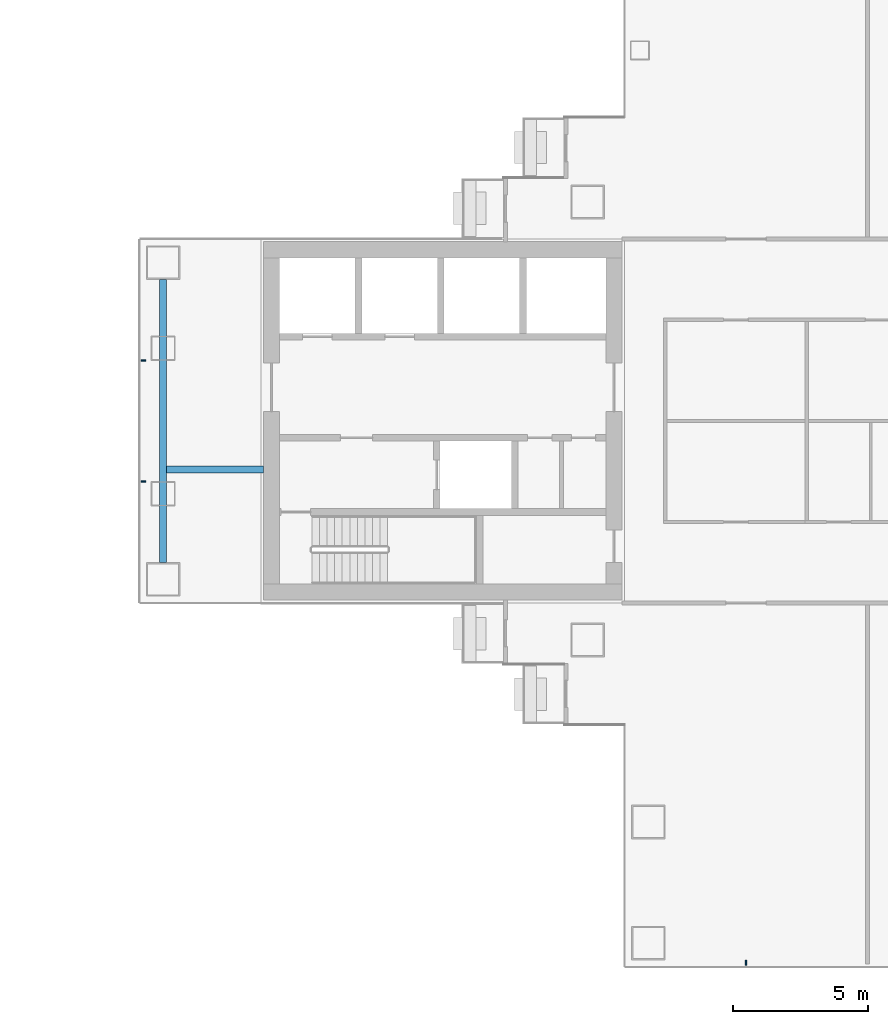
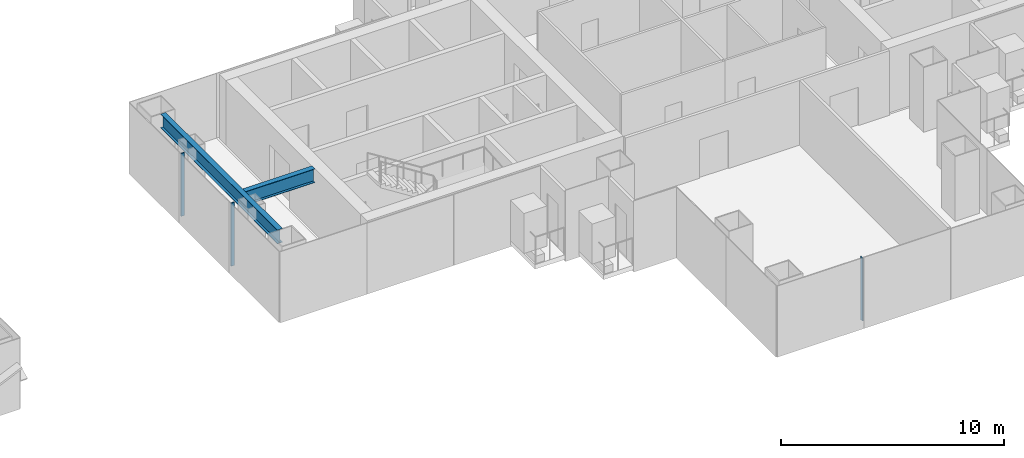
# One storey, part 5 of 19: 3 members, 2 beams, 2 elements without a shape of their own.
"""IFC4 building model written with IfcOpenShell, lengths in metres."""

from ifc_helpers import new_model, si_unit, direction, frame, origin, origin_2d, place, context, subcontext, project, spatial, rectangle, i_section, extrude, material, layer, layer_set, material_profile, profile_set, type_object, element, aggregate, save


model = new_model("IFC4")

# Units and contexts
model_context = context("Model", 3, precision=1e-05, world=origin(), true_north=direction((0.0, 1.0)))
body_context = subcontext(model_context, "Body", "Model", "MODEL_VIEW")
ifc_project = project(units=[si_unit("LENGTHUNIT", "METRE"), si_unit("AREAUNIT", "SQUARE_METRE"), si_unit("VOLUMEUNIT", "CUBIC_METRE"), si_unit("PLANEANGLEUNIT", "RADIAN"), si_unit("MASSUNIT", "GRAM", prefix="KILO")], contexts=[model_context])

# Site, building, storey
site_placement = place(None, origin())
site = spatial("IfcSite", under=ifc_project, at=site_placement, CompositionType="ELEMENT")
building_placement = place(site_placement, origin())
building = spatial("IfcBuilding", under=site, at=building_placement, Name="Shamsa Quay Exchange Towers", CompositionType="ELEMENT")
storey_placement = place(building_placement, frame((0.0, 0.0, 93.60009765625)))
storey = spatial("IfcBuildingStorey", under=building, at=storey_placement, Name="L21", CompositionType="ELEMENT", Elevation=93.60009765625)

# Curtain wall, members
ifc_material_1 = material(Name="Aluminium EN AW-6063 T6, black anodised", Category="aluminium")
ifc_layer = layer(ifc_material_1, 0.280029296875)
ifc_layer_set = layer_set([ifc_layer], Name="CW-1 UNITISED VISION GLASS")
curtain_wall_type = type_object("IfcCurtainWallType", Name="CW-1 UNITISED VISION GLASS", PredefinedType="NOTDEFINED", material=ifc_layer_set)
curtain_wall_1_placement = place(storey_placement, origin())
curtain_wall_1 = element("IfcCurtainWall", 1, at=curtain_wall_1_placement, inside=storey, type_object=curtain_wall_type, Name="CW1 T2-END-V+ L21", PredefinedType="NOTDEFINED")
ifc_material_profile_1 = material_profile(ifc_material_1, rectangle(XDim=0.179931640625, YDim=0.06005859375, at=origin_2d()), Name="MU60x180")
ifc_profile_set_1 = profile_set([ifc_material_profile_1], Name="Aluminium EN AW-6063 T6, black anodised")
member_type = type_object("IfcMemberType", Name="CW1 MULLION 60x180", PredefinedType="MULLION", material=ifc_profile_set_1)
member_1_placement = place(storey_placement, frame((9.14990234375, 2.25, 0.0)))
member_1 = element("IfcMember", 2, at=member_1_placement, type_object=member_type, Name="CW1 mullion", PredefinedType="MULLION", context=body_context, shape_type="SweptSolid", body=[
    extrude(rectangle(XDim=0.179931640625, YDim=0.06005859375, at=origin_2d()), origin(), (0.0, 0.0, 1.0), 3.449951171875),
])
member_2_placement = place(storey_placement, frame((9.14990234375, -2.25, 0.0)))
member_2 = element("IfcMember", 3, at=member_2_placement, type_object=member_type, Name="CW1 mullion", PredefinedType="MULLION", context=body_context, shape_type="SweptSolid", body=[
    extrude(rectangle(XDim=0.179931640625, YDim=0.06005859375, at=origin_2d()), origin(), (0.0, 0.0, 1.0), 3.449951171875),
])
aggregate(curtain_wall_1, [member_1, member_2])

# Curtain wall, member
curtain_wall_2_placement = place(storey_placement, origin())
curtain_wall_2 = element("IfcCurtainWall", 4, at=curtain_wall_2_placement, inside=storey, type_object=curtain_wall_type, Name="CW1 T2-END-U- L21", PredefinedType="NOTDEFINED")
member_3_placement = place(storey_placement, frame((31.5, -20.10009765625, 0.0), z_axis=(0.0, 0.0, 1.0), x_axis=(0.0, 1.0, 0.0)))
member_3 = element("IfcMember", 5, at=member_3_placement, type_object=member_type, Name="CW1 mullion", PredefinedType="MULLION", context=body_context, shape_type="SweptSolid", body=[
    extrude(rectangle(XDim=0.179931640625, YDim=0.06005859375, at=origin_2d()), origin(), (0.0, 0.0, 1.0), 3.449951171875),
])
aggregate(curtain_wall_2, [member_3])

# Beams
ifc_material_2 = material(Name="Steel S355", Category="steel")
ifc_material_profile_2 = material_profile(ifc_material_2, i_section(OverallWidth=0.26611328125, OverallDepth=0.7578125, WebThickness=0.013916015625, FlangeThickness=0.019287109375, at=origin_2d()), Name="W30x108")
ifc_profile_set_2 = profile_set([ifc_material_profile_2], Name="Steel S355")
beam_type = type_object("IfcBeamType", Name="End-zone beam W30x108", PredefinedType="BEAM", material=ifc_profile_set_2)
beam_1_placement = place(storey_placement, frame((9.875, -5.25, 3.171142578125), z_axis=(0.0, 1.0, 0.0), x_axis=(-1.0, 0.0, 0.0)))
element("IfcBeam", 6, at=beam_1_placement, inside=storey, type_object=beam_type, Name="End beam T2 V+ end zone L21", PredefinedType="BEAM", context=body_context, shape_type="SweptSolid", body=[
    extrude(i_section(OverallWidth=0.26611328125, OverallDepth=0.7578125, WebThickness=0.013916015625, FlangeThickness=0.019287109375, at=origin_2d()), origin(), (0.0, 0.0, 1.0), 10.5),
])
beam_2_placement = place(storey_placement, frame((13.60009765625, -1.800048828125, 3.171142578125), z_axis=(-1.0, 0.0, 0.0), x_axis=(0.0, -1.0, 0.0)))
element("IfcBeam", 7, at=beam_2_placement, inside=storey, type_object=beam_type, Name="Spine beam T2 V+ end zone L21", PredefinedType="BEAM", context=body_context, shape_type="SweptSolid", body=[
    extrude(i_section(OverallWidth=0.26611328125, OverallDepth=0.7578125, WebThickness=0.013916015625, FlangeThickness=0.019287109375, at=origin_2d()), origin(), (0.0, 0.0, 1.0), 3.592041015625),
])

save(model, "model.ifc")
